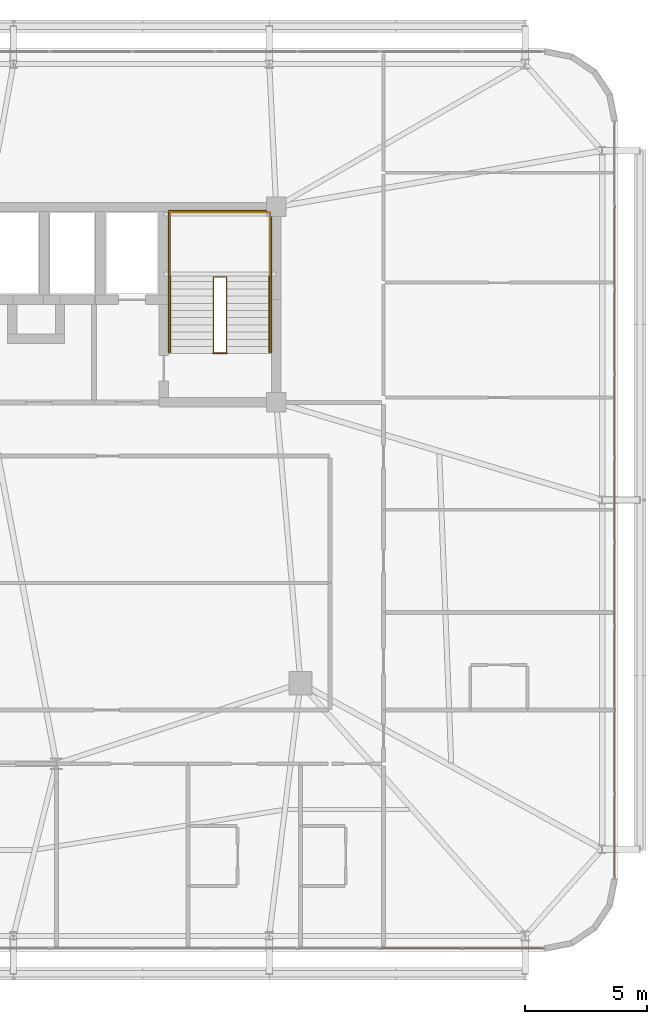
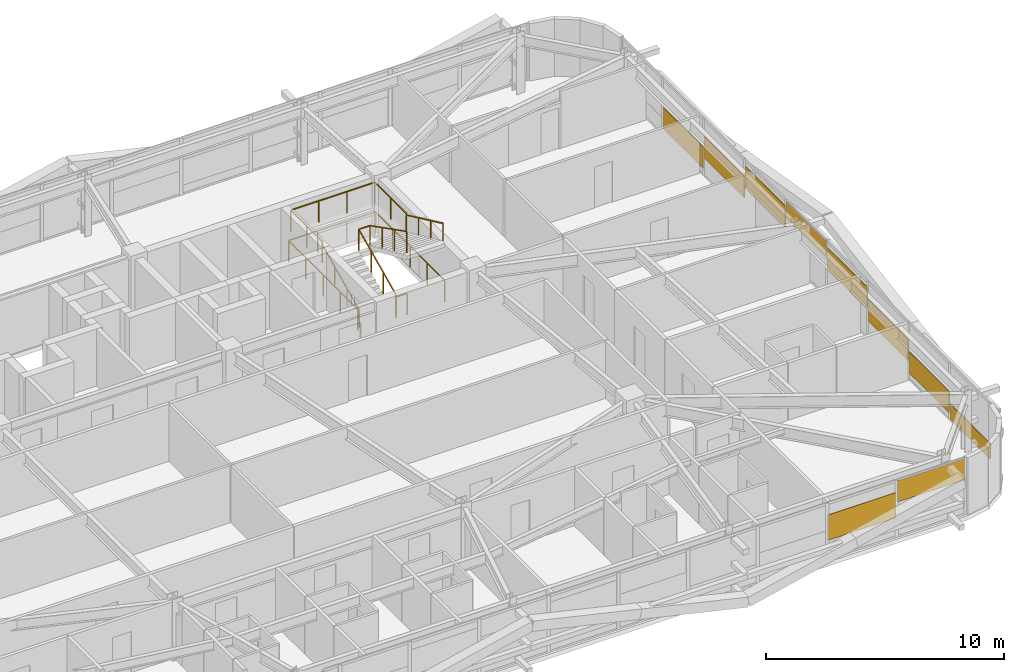
# One storey, part 58 of 59: 10 coverings, 6 railings.
"""IFC4 building model written with IfcOpenShell, lengths in metres."""

from ifc_helpers import new_model, si_unit, direction, frame, origin, origin_2d, place, context, subcontext, project, spatial, rectangle, extrude, source, transform, mapped, material, layer, layer_set, type_object, element, save


model = new_model("IFC4")

# Units and contexts
model_context = context("Model", 3, precision=1e-05, world=origin(), true_north=direction((0.0, 1.0)))
body_context = subcontext(model_context, "Body", "Model", "MODEL_VIEW")
ifc_project = project(units=[si_unit("LENGTHUNIT", "METRE"), si_unit("AREAUNIT", "SQUARE_METRE"), si_unit("VOLUMEUNIT", "CUBIC_METRE"), si_unit("PLANEANGLEUNIT", "RADIAN"), si_unit("MASSUNIT", "GRAM", prefix="KILO")], contexts=[model_context])

# Site, building, storey
site_placement = place(None, origin())
site = spatial("IfcSite", under=ifc_project, at=site_placement, CompositionType="ELEMENT")
building_placement = place(site_placement, origin())
building = spatial("IfcBuilding", under=site, at=building_placement, Name="Taldren Reach Tower", CompositionType="ELEMENT")
storey_placement = place(building_placement, frame((0.0, 0.0, 23.10009765625)))
storey = spatial("IfcBuildingStorey", under=building, at=storey_placement, Name="L06", CompositionType="ELEMENT", Elevation=23.10009765625)

# Railings
ifc_material_1 = material(Name="Steel Gr 350 (C350L0)", Category="steel")
ifc_layer_1 = layer(ifc_material_1, 0.050048828125)
ifc_layer_set_1 = layer_set([ifc_layer_1], Name="Steel Gr 350 (C350L0)")
railing_type_1 = type_object("IfcRailingType", Name="RL-STAIR-GR", PredefinedType="GUARDRAIL", material=ifc_layer_set_1)
railing_1_placement = place(storey_placement, frame((46.659912109375, 29.135009765625, 1.574951171875)))
element("IfcRailing", 1, at=railing_1_placement, inside=storey, type_object=railing_type_1, Name="Stair half-landing perimeter guard ST2-L06", PredefinedType="GUARDRAIL", context=body_context, shape_type="SweptSolid", body=[
    extrude(rectangle(XDim=0.047852, YDim=0.047852, at=origin_2d()), frame((0.0, 0.0, 1.09619140625), z_axis=(0.0, 1.0, 0.0), x_axis=(-1.0, 0.0, 0.0)), (0.0, 0.0, 1.0), 2.64501953125),
    extrude(rectangle(XDim=0.047852, YDim=0.047852, at=origin_2d()), frame((0.0, 2.64501953125, 1.09619140625), z_axis=(1.0, 0.0, 0.0), x_axis=(0.0, 1.0, 0.0)), (0.0, 0.0, 1.0), 4.080078125),
    extrude(rectangle(XDim=0.047852, YDim=0.047852, at=origin_2d()), frame((4.080078125, 2.64501953125, 1.09619140625), z_axis=(0.0, -1.0, 0.0), x_axis=(1.0, 0.0, 0.0)), (0.0, 0.0, 1.0), 2.64501953125),
    extrude(rectangle(XDim=0.041992, YDim=0.041992, at=origin_2d()), origin(), (0.0, 0.0, 1.0), 1.072021484375),
    extrude(rectangle(XDim=0.041992, YDim=0.041992, at=origin_2d()), frame((0.0, 1.322509765625, 0.0)), (0.0, 0.0, 1.0), 1.072021484375),
    extrude(rectangle(XDim=0.041992, YDim=0.041992, at=origin_2d()), frame((0.0, 2.64501953125, 0.0)), (0.0, 0.0, 1.0), 1.072021484375),
    extrude(rectangle(XDim=0.041992, YDim=0.041992, at=origin_2d()), frame((1.360107421875, 2.64501953125, 0.0)), (0.0, 0.0, 1.0), 1.072021484375),
    extrude(rectangle(XDim=0.041992, YDim=0.041992, at=origin_2d()), frame((2.719970703125, 2.64501953125, 0.0)), (0.0, 0.0, 1.0), 1.072021484375),
    extrude(rectangle(XDim=0.041992, YDim=0.041992, at=origin_2d()), frame((4.080078125, 2.64501953125, 0.0)), (0.0, 0.0, 1.0), 1.072021484375),
    extrude(rectangle(XDim=0.041992, YDim=0.041992, at=origin_2d()), frame((4.080078125, 1.322509765625, 0.0)), (0.0, 0.0, 1.0), 1.072021484375),
    extrude(rectangle(XDim=0.041992, YDim=0.041992, at=origin_2d()), frame((4.080078125, 0.0, 0.0)), (0.0, 0.0, 1.0), 1.072021484375),
])
railing_2_placement = place(storey_placement, frame((48.429931640625, 26.050048828125, 0.131103515625)))
element("IfcRailing", 2, at=railing_2_placement, inside=storey, type_object=railing_type_1, Name="Stairwell inner guard ST2-L06", PredefinedType="GUARDRAIL", context=body_context, shape_type="SweptSolid", body=[
    extrude(rectangle(XDim=0.047852, YDim=0.047852, at=origin_2d()), frame((0.0, 0.0, 1.09619140625), z_axis=(0.0, 0.905710134349, 0.423897573167), x_axis=(-1.0, 0.0, 0.0)), (0.0, 0.0, 1.0), 3.406005859375),
    extrude(rectangle(XDim=0.047852, YDim=0.047852, at=origin_2d()), frame((0.0, 3.0849609375, 2.5400390625), z_axis=(1.0, 0.0, 0.0), x_axis=(0.0, 1.0, 0.0)), (0.0, 0.0, 1.0), 0.5400390625),
    extrude(rectangle(XDim=0.047852, YDim=0.047852, at=origin_2d()), frame((0.5400390625, 3.0849609375, 2.5400390625), z_axis=(0.0, -0.890645957773, 0.45469745755), x_axis=(1.0, 0.0, 0.0)), (0.0, 0.0, 1.0), 3.463623046875),
    extrude(rectangle(XDim=0.041992, YDim=0.041992, at=origin_2d()), origin(), (0.0, 0.0, 1.0), 1.072021484375),
    extrude(rectangle(XDim=0.041992, YDim=0.041992, at=origin_2d()), frame((0.0, 1.0283203125, 0.481201171875)), (0.0, 0.0, 1.0), 1.072021484375),
    extrude(rectangle(XDim=0.041992, YDim=0.041992, at=origin_2d()), frame((0.0, 2.056640625, 0.962646484375)), (0.0, 0.0, 1.0), 1.072021484375),
    extrude(rectangle(XDim=0.041992, YDim=0.041992, at=origin_2d()), frame((0.0, 3.0849609375, 1.44384765625)), (0.0, 0.0, 1.0), 1.072021484375),
    extrude(rectangle(XDim=0.041992, YDim=0.041992, at=origin_2d()), frame((0.5400390625, 3.0849609375, 1.44384765625)), (0.0, 0.0, 1.0), 1.072021484375),
    extrude(rectangle(XDim=0.041992, YDim=0.041992, at=origin_2d()), frame((0.5400390625, 2.056640625, 1.96875)), (0.0, 0.0, 1.0), 1.072021484375),
    extrude(rectangle(XDim=0.041992, YDim=0.041992, at=origin_2d()), frame((0.5400390625, 1.0283203125, 2.493896484375)), (0.0, 0.0, 1.0), 1.072021484375),
    extrude(rectangle(XDim=0.041992, YDim=0.041992, at=origin_2d()), frame((0.5400390625, 0.0, 3.018798828125)), (0.0, 0.0, 1.0), 1.072021484375),
])
railing_3_placement = place(storey_placement, frame((48.429931640625, 26.010009765625, 0.0)))
element("IfcRailing", 3, at=railing_3_placement, inside=storey, type_object=railing_type_1, Name="Stairwell landing slot guard ST2-L06", PredefinedType="GUARDRAIL", context=body_context, shape_type="SweptSolid", body=[
    extrude(rectangle(XDim=0.047852, YDim=0.047852, at=origin_2d()), frame((0.0, 0.0, 1.09619140625), z_axis=(1.0, 0.0, 0.0), x_axis=(0.0, 1.0, 0.0)), (0.0, 0.0, 1.0), 0.5400390625),
    extrude(rectangle(XDim=0.041992, YDim=0.041992, at=origin_2d()), origin(), (0.0, 0.0, 1.0), 1.072021484375),
    extrude(rectangle(XDim=0.041992, YDim=0.041992, at=origin_2d()), frame((0.5400390625, 0.0, 0.0)), (0.0, 0.0, 1.0), 1.072021484375),
])
railing_4_placement = place(storey_placement, frame((46.590087890625, 26.050048828125, 0.0)))
element("IfcRailing", 4, at=railing_4_placement, inside=storey, type_object=railing_type_1, Name="Stairwell floor opening guard ST2-L06", PredefinedType="GUARDRAIL", context=body_context, shape_type="SweptSolid", body=[
    extrude(rectangle(XDim=0.047852, YDim=0.047852, at=origin_2d()), frame((0.0, 0.0, 1.09619140625), z_axis=(0.0, 1.0, 0.0), x_axis=(-1.0, 0.0, 0.0)), (0.0, 0.0, 1.0), 5.800048828125),
    extrude(rectangle(XDim=0.047852, YDim=0.047852, at=origin_2d()), frame((0.0, 5.800048828125, 1.09619140625), z_axis=(1.0, 0.0, 0.0), x_axis=(0.0, 1.0, 0.0)), (0.0, 0.0, 1.0), 4.219970703125),
    extrude(rectangle(XDim=0.047852, YDim=0.047852, at=origin_2d()), frame((4.219970703125, 5.800048828125, 1.09619140625), z_axis=(0.0, -1.0, 0.0), x_axis=(1.0, 0.0, 0.0)), (0.0, 0.0, 1.0), 5.800048828125),
    extrude(rectangle(XDim=0.041992, YDim=0.041992, at=origin_2d()), origin(), (0.0, 0.0, 1.0), 1.072021484375),
    extrude(rectangle(XDim=0.041992, YDim=0.041992, at=origin_2d()), frame((0.0, 1.449951171875, 0.0)), (0.0, 0.0, 1.0), 1.072021484375),
    extrude(rectangle(XDim=0.041992, YDim=0.041992, at=origin_2d()), frame((0.0, 2.89990234375, 0.0)), (0.0, 0.0, 1.0), 1.072021484375),
    extrude(rectangle(XDim=0.041992, YDim=0.041992, at=origin_2d()), frame((0.0, 4.35009765625, 0.0)), (0.0, 0.0, 1.0), 1.072021484375),
    extrude(rectangle(XDim=0.041992, YDim=0.041992, at=origin_2d()), frame((0.0, 5.800048828125, 0.0)), (0.0, 0.0, 1.0), 1.072021484375),
    extrude(rectangle(XDim=0.041992, YDim=0.041992, at=origin_2d()), frame((1.40673828125, 5.800048828125, 0.0)), (0.0, 0.0, 1.0), 1.072021484375),
    extrude(rectangle(XDim=0.041992, YDim=0.041992, at=origin_2d()), frame((2.813232421875, 5.800048828125, 0.0)), (0.0, 0.0, 1.0), 1.072021484375),
    extrude(rectangle(XDim=0.041992, YDim=0.041992, at=origin_2d()), frame((4.219970703125, 5.800048828125, 0.0)), (0.0, 0.0, 1.0), 1.072021484375),
    extrude(rectangle(XDim=0.041992, YDim=0.041992, at=origin_2d()), frame((4.219970703125, 4.35009765625, 0.0)), (0.0, 0.0, 1.0), 1.072021484375),
    extrude(rectangle(XDim=0.041992, YDim=0.041992, at=origin_2d()), frame((4.219970703125, 2.89990234375, 0.0)), (0.0, 0.0, 1.0), 1.072021484375),
    extrude(rectangle(XDim=0.041992, YDim=0.041992, at=origin_2d()), frame((4.219970703125, 1.449951171875, 0.0)), (0.0, 0.0, 1.0), 1.072021484375),
    extrude(rectangle(XDim=0.041992, YDim=0.041992, at=origin_2d()), frame((4.219970703125, 0.0, 0.0)), (0.0, 0.0, 1.0), 1.072021484375),
])
ifc_material_2 = material(Name="Stainless Steel Gr 316", Category="steel")
ifc_layer_2 = layer(ifc_material_2, 0.048095703125)
ifc_layer_set_2 = layer_set([ifc_layer_2], Name="Stainless Steel Gr 316")
railing_type_2 = type_object("IfcRailingType", Name="RL-STAIR-HR", PredefinedType="HANDRAIL", material=ifc_layer_set_2)
railing_5_placement = place(storey_placement, frame((46.669921875, 26.050048828125, 0.131103515625)))
element("IfcRailing", 5, at=railing_5_placement, inside=storey, type_object=railing_type_2, Name="Stair flight handrail ST2-L06-1", PredefinedType="HANDRAIL", context=body_context, shape_type="SweptSolid", body=[
    extrude(rectangle(XDim=0.047852, YDim=0.047852, at=origin_2d()), frame((0.0, 0.0, 0.89599609375), z_axis=(0.0, 0.905710134349, 0.423897573167), x_axis=(-1.0, 0.0, 0.0)), (0.0, 0.0, 1.0), 3.406005859375),
    extrude(rectangle(XDim=0.041992, YDim=0.041992, at=origin_2d()), origin(), (0.0, 0.0, 1.0), 0.871826171875),
    extrude(rectangle(XDim=0.041992, YDim=0.041992, at=origin_2d()), frame((0.0, 1.0283203125, 0.481201171875)), (0.0, 0.0, 1.0), 0.871826171875),
    extrude(rectangle(XDim=0.041992, YDim=0.041992, at=origin_2d()), frame((0.0, 2.056640625, 0.962646484375)), (0.0, 0.0, 1.0), 0.871826171875),
    extrude(rectangle(XDim=0.041992, YDim=0.041992, at=origin_2d()), frame((0.0, 3.0849609375, 1.44384765625)), (0.0, 0.0, 1.0), 0.871826171875),
])
railing_6_placement = place(storey_placement, frame((50.72998046875, 29.135009765625, 1.706298828125)))
element("IfcRailing", 6, at=railing_6_placement, inside=storey, type_object=railing_type_2, Name="Stair flight handrail ST2-L06-2", PredefinedType="HANDRAIL", context=body_context, shape_type="SweptSolid", body=[
    extrude(rectangle(XDim=0.047852, YDim=0.047852, at=origin_2d()), frame((0.0, 0.0, 0.89599609375), z_axis=(0.0, -0.905737652094, 0.423838773095), x_axis=(1.0, 0.0, 0.0)), (0.0, 0.0, 1.0), 3.406005859375),
    extrude(rectangle(XDim=0.041992, YDim=0.041992, at=origin_2d()), origin(), (0.0, 0.0, 1.0), 0.871826171875),
    extrude(rectangle(XDim=0.041992, YDim=0.041992, at=origin_2d()), frame((0.0, -1.0283203125, 0.481201171875)), (0.0, 0.0, 1.0), 0.871826171875),
    extrude(rectangle(XDim=0.041992, YDim=0.041992, at=origin_2d()), frame((0.0, -2.056640625, 0.96240234375)), (0.0, 0.0, 1.0), 0.871826171875),
    extrude(rectangle(XDim=0.041992, YDim=0.041992, at=origin_2d()), frame((0.0, -3.0849609375, 1.443603515625)), (0.0, 0.0, 1.0), 0.871826171875),
])

# Coverings
ifc_material_3 = material(Name="Pale Champagne Fluoropolymer Aluminium Spandrel Cladding", Category="aluminium")
ifc_layer_3 = layer(ifc_material_3, 0.0439453125)
ifc_layer_set_3 = layer_set([ifc_layer_3], Name="Pale Champagne Fluoropolymer Aluminium Spandrel Cladding")
covering_type = type_object("IfcCoveringType", Name="CV-CLAD-044", PredefinedType="CLADDING", material=ifc_layer_set_3)
shared_shape_1 = source(origin(), body_context, "Body", "SweptSolid", [
    extrude(rectangle(XDim=3.277587890625, YDim=0.0439453125, at=origin_2d()), origin(), (0.0, 0.0, 1.0), 1.081298828125),
])
covering_1_placement = place(storey_placement, frame((60.296142578125, 1.639892578125, 1.79345703125), z_axis=(0.0, 0.0, 1.0), x_axis=(1.0, 0.0, 0.0)))
element("IfcCovering", 7, at=covering_1_placement, inside=storey, type_object=covering_type, Name="Diagrid closure cladding strip CW-2 panel 16.1 1", PredefinedType="CLADDING", context=body_context, shape_type="MappedRepresentation", body=[
    mapped(shared_shape_1, transform((0.0, 0.0, 0.0), scale=1.0)),
])
shared_shape_2 = source(origin(), body_context, "Body", "SweptSolid", [
    extrude(rectangle(XDim=3.31005859375, YDim=0.0439453125, at=origin_2d()), origin(), (0.0, 0.0, 1.0), 1.301025390625),
])
covering_2_placement = place(storey_placement, frame((56.9375, 1.639892578125, 1.01123046875), z_axis=(0.0, 0.0, 1.0), x_axis=(1.0, 0.0, 0.0)))
element("IfcCovering", 8, at=covering_2_placement, inside=storey, type_object=covering_type, Name="Diagrid closure cladding strip CW-2 panel 15.1 1", PredefinedType="CLADDING", context=body_context, shape_type="MappedRepresentation", body=[
    mapped(shared_shape_2, transform((0.0, 0.0, 0.0), scale=1.0)),
])
shared_shape_3 = source(origin(), body_context, "Body", "SweptSolid", [
    extrude(rectangle(XDim=3.37939453125, YDim=0.0439453125, at=origin_2d()), origin(), (0.0, 0.0, 1.0), 1.1015625),
])
for number, where, z_axis, x_axis, name in (
    (9, (64.860107421875, 9.666748046875, 0.34326171875), (0.0, 0.0, 1.0), (0.0, 1.0, 0.0), "Diagrid closure cladding strip CW-2 panel 2.1 1"),
    (10, (64.860107421875, 13.111083984375, 0.928466796875), (0.0, 0.0, 1.0), (0.0, 1.0, 0.0), "Diagrid closure cladding strip CW-2 panel 3.1 1"),
    (11, (64.860107421875, 16.5556640625, 1.513916015625), (0.0, 0.0, 1.0), (0.0, 1.0, 0.0), "Diagrid closure cladding strip CW-2 panel 4.1 1"),
    (12, (64.860107421875, 23.4443359375, 1.513916015625), (0.0, 0.0, 1.0), (0.0, 1.0, 0.0), "Diagrid closure cladding strip CW-2 panel 6.1 1"),
    (13, (64.860107421875, 26.888916015625, 0.928466796875), (0.0, 0.0, 1.0), (0.0, 1.0, 0.0), "Diagrid closure cladding strip CW-2 panel 7.1 1"),
    (14, (64.860107421875, 30.333251953125, 0.34326171875), (0.0, 0.0, 1.0), (0.0, 1.0, 0.0), "Diagrid closure cladding strip CW-2 panel 8.1 1"),
):
    element("IfcCovering", number, at=place(storey_placement, frame(where, z_axis=z_axis, x_axis=x_axis)), inside=storey, type_object=covering_type, Name=name, PredefinedType="CLADDING", context=body_context, shape_type="MappedRepresentation", body=[
        mapped(shared_shape_3, transform((0.0, 0.0, 0.0), scale=1.0)),
    ])
shared_shape_4 = source(origin(), body_context, "Body", "SweptSolid", [
    extrude(rectangle(XDim=3.346923828125, YDim=0.0439453125, at=origin_2d()), origin(), (0.0, 0.0, 1.0), 0.804443359375),
])
covering_3_placement = place(storey_placement, frame((64.860107421875, 6.238525390625, 0.05517578125), z_axis=(0.0, 0.0, 1.0), x_axis=(0.0, 1.0, 0.0)))
element("IfcCovering", 15, at=covering_3_placement, inside=storey, type_object=covering_type, Name="Diagrid closure cladding strip CW-2 panel 1.1 1", PredefinedType="CLADDING", context=body_context, shape_type="MappedRepresentation", body=[
    mapped(shared_shape_4, transform((0.0, 0.0, 0.0), scale=1.0)),
])
shared_shape_5 = source(origin(), body_context, "Body", "SweptSolid", [
    extrude(rectangle(XDim=3.37939453125, YDim=0.0439453125, at=origin_2d()), origin(), (0.0, 0.0, 1.0), 0.77587890625),
])
covering_4_placement = place(storey_placement, frame((64.860107421875, 20.0, 2.09912109375), z_axis=(0.0, 0.0, 1.0), x_axis=(0.0, 1.0, 0.0)))
element("IfcCovering", 16, at=covering_4_placement, inside=storey, type_object=covering_type, Name="Diagrid closure cladding strip CW-2 panel 5.1 1", PredefinedType="CLADDING", context=body_context, shape_type="MappedRepresentation", body=[
    mapped(shared_shape_5, transform((0.0, 0.0, 0.0), scale=1.0)),
])

save(model, "model.ifc")
